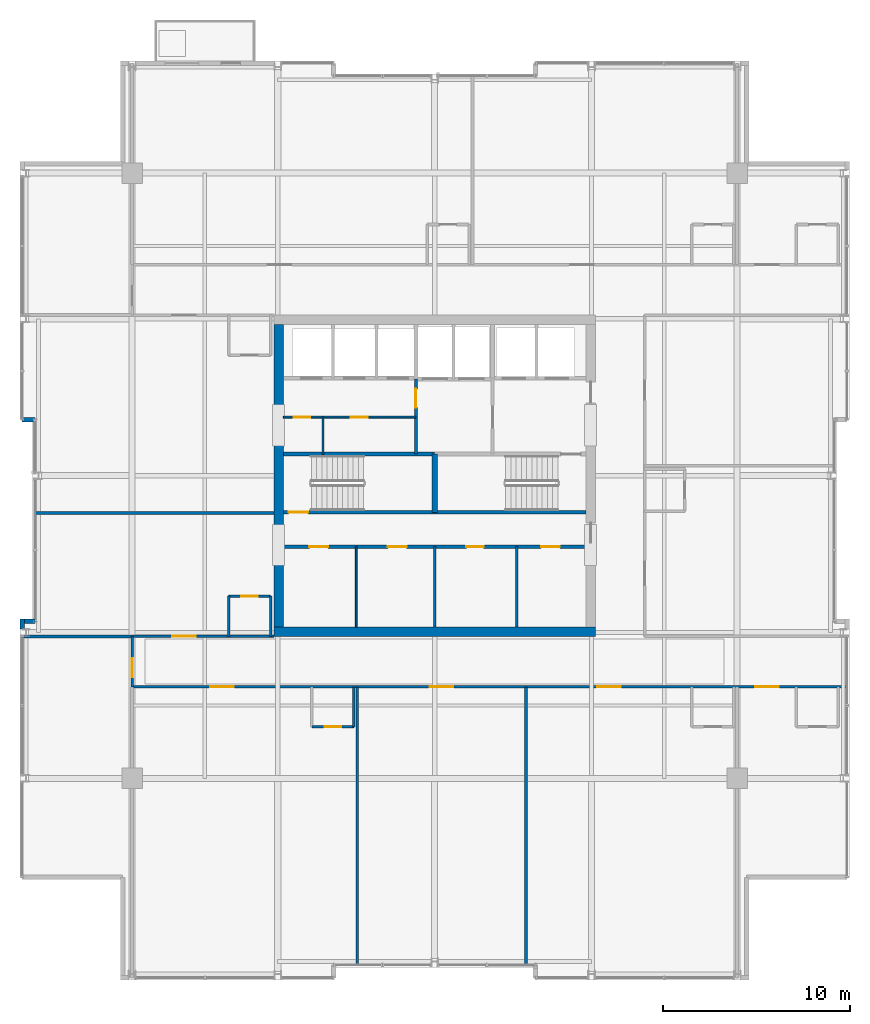
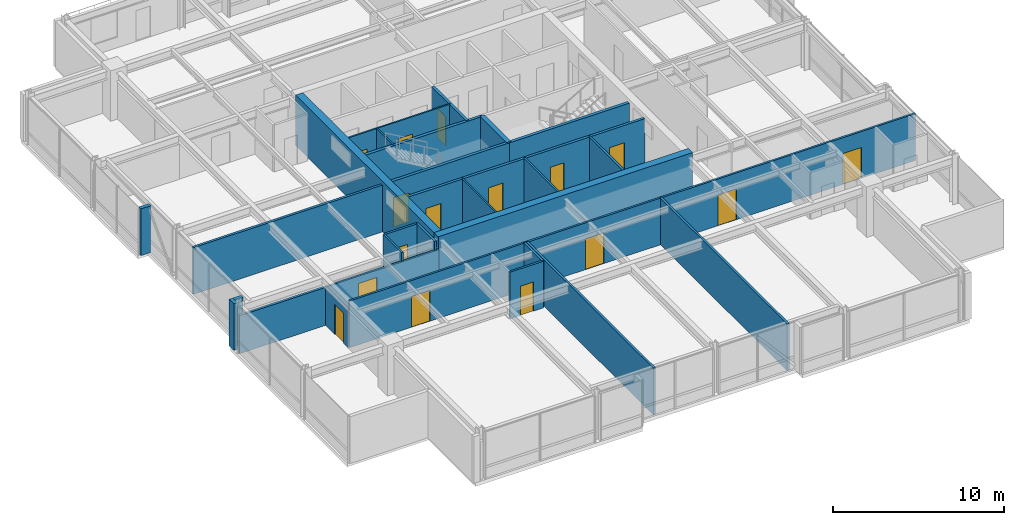
# One storey, part 25 of 31: 28 walls, 16 doors, 16 openings.
"""IFC4 building model written with IfcOpenShell, lengths in metres."""

from ifc_helpers import new_model, si_unit, direction, frame, frame_2d, origin, place, context, subcontext, project, spatial, rectangle, extrude, material, layer, layer_set, type_object, element, fill, save


model = new_model("IFC4")

# Units and contexts
model_context = context("Model", 3, precision=1e-05, world=origin(), true_north=direction((0.0, 1.0)))
body_context = subcontext(model_context, "Body", "Model", "MODEL_VIEW")
ifc_project = project(units=[si_unit("LENGTHUNIT", "METRE"), si_unit("AREAUNIT", "SQUARE_METRE"), si_unit("VOLUMEUNIT", "CUBIC_METRE"), si_unit("PLANEANGLEUNIT", "RADIAN"), si_unit("MASSUNIT", "GRAM", prefix="KILO")], contexts=[model_context])

# Site, building, storey
site_placement = place(None, origin())
site = spatial("IfcSite", under=ifc_project, at=site_placement, CompositionType="ELEMENT")
building_placement = place(site_placement, origin())
building = spatial("IfcBuilding", under=site, at=building_placement, Name="Drelvath Grand Hotel", CompositionType="ELEMENT")
storey_placement = place(building_placement, frame((0.0, 0.0, 219.5)))
storey = spatial("IfcBuildingStorey", under=building, at=storey_placement, Name="L57", CompositionType="ELEMENT", Elevation=219.5)

# Wall, openings, doors
ifc_material_1 = material(Name="Gypsum Partition Board")
ifc_layer_1 = layer(ifc_material_1, 0.10009765625)
ifc_layer_set_1 = layer_set([ifc_layer_1], Name="Gypsum Partition Board")
wall_type_1 = type_object("IfcWallType", Name="Core Closet Partition 100", PredefinedType="PARTITIONING", material=ifc_layer_set_1)
wall_1_placement = place(storey_placement, frame((-8.10009765625, 30.139892578125, 0.0), z_axis=(0.0, 0.0, 1.0), x_axis=(1.0, 0.0, 0.0)))
wall_1 = element("IfcWall", 1, at=wall_1_placement, inside=storey, type_object=wall_type_1, Name="L57 High-Rise Lobby Closet Wall", PredefinedType="PARTITIONING", context=body_context, shape_type="SweptSolid", body=[
    extrude(rectangle(XDim=7.10009765625, YDim=0.10009765625, at=frame_2d((3.550048828125, 0.0))), origin(), (0.0, 0.0, 1.0), 3.340087890625),
])
opening_1_placement = place(wall_1_placement, frame((0.550048828125, 0.0, 0.0)))
opening_1 = element("IfcOpeningElement", 2, at=opening_1_placement, cuts=wall_1, Name="Opening D-T4G2-013", PredefinedType="OPENING", context=body_context, shape_type="SweptSolid", body=[
    extrude(rectangle(XDim=0.8798828125, YDim=2.10009765625, at=frame_2d((0.43994140625, 1.050048828125))), frame((0.0, 0.06005859375, 0.0), z_axis=(0.0, -1.0, 0.0), x_axis=(1.0, 0.0, 0.0)), (0.0, 0.0, 1.0), 0.1201171875),
])
opening_2_placement = place(wall_1_placement, frame((3.60009765625, 0.0, 0.0)))
opening_2 = element("IfcOpeningElement", 3, at=opening_2_placement, cuts=wall_1, Name="Opening D-T4G2-014", PredefinedType="OPENING", context=body_context, shape_type="SweptSolid", body=[
    extrude(rectangle(XDim=0.919921875, YDim=2.10009765625, at=frame_2d((0.4599609375, 1.050048828125))), frame((0.0, 0.06005859375, 0.0), z_axis=(0.0, -1.0, 0.0), x_axis=(1.0, 0.0, 0.0)), (0.0, 0.0, 1.0), 0.1201171875),
])
ifc_material_2 = material(Name="Hardwood Walnut Timber", Category="wood")
door_type_1 = type_object("IfcDoorType", Name="En-Suite Bathroom Door 880x2100", OperationType="NOTDEFINED", PredefinedType="DOOR", material=ifc_material_2)
door_1_placement = place(opening_1_placement, origin())
door_1 = element("IfcDoor", 4, at=door_1_placement, inside=storey, type_object=door_type_1, Name="L57 Low-Voltage Closet Door", OperationType="SINGLE_SWING_RIGHT", OverallHeight=2.10009765625, OverallWidth=0.8798828125, PredefinedType="DOOR", context=body_context, shape_type="SweptSolid", body=[
    extrude(rectangle(XDim=0.8798828125, YDim=2.10009765625, at=frame_2d((0.43994140625, 1.050048828125))), frame((0.0, 0.02490234375, 0.0), z_axis=(0.0, -1.0, 0.0), x_axis=(1.0, 0.0, 0.0)), (0.0, 0.0, 1.0), 0.050048828125),
])
fill(opening_1, door_1)
ifc_material_3 = material(Name="Painted Steel S275", Category="steel")
door_type_2 = type_object("IfcDoorType", Name="Staff Utility Door 920x2100", OperationType="NOTDEFINED", PredefinedType="DOOR", material=ifc_material_3)
door_2_placement = place(opening_2_placement, origin())
door_2 = element("IfcDoor", 5, at=door_2_placement, inside=storey, type_object=door_type_2, Name="L57 Telecom Distribution Door", OperationType="SINGLE_SWING_LEFT", OverallHeight=2.10009765625, OverallWidth=0.919921875, PredefinedType="DOOR", context=body_context, shape_type="SweptSolid", body=[
    extrude(rectangle(XDim=0.919921875, YDim=2.10009765625, at=frame_2d((0.4599609375, 1.050048828125))), frame((0.0, 0.02490234375, 0.0), z_axis=(0.0, -1.0, 0.0), x_axis=(1.0, 0.0, 0.0)), (0.0, 0.0, 1.0), 0.050048828125),
])
fill(opening_2, door_2)

# Walls
wall_2_placement = place(storey_placement, frame((-5.97998046875, 28.159912109375, 0.0), z_axis=(0.0, 0.0, 1.0), x_axis=(0.0, 1.0, 0.0)))
element("IfcWall", 6, at=wall_2_placement, inside=storey, type_object=wall_type_1, Name="L57 Core Closet Split 2", PredefinedType="PARTITIONING", context=body_context, shape_type="SweptSolid", body=[
    extrude(rectangle(XDim=1.97998046875, YDim=0.10009765625, at=frame_2d((0.989990234375, 0.0))), origin(), (0.0, 0.0, 1.0), 3.340087890625),
])
wall_3_placement = place(storey_placement, frame((-4.199951171875, 18.89990234375, 0.0), z_axis=(0.0, 0.0, 1.0), x_axis=(0.0, 1.0, 0.0)))
element("IfcWall", 7, at=wall_3_placement, inside=storey, type_object=wall_type_1, Name="L57 Upper Core Split 2A", PredefinedType="PARTITIONING", context=body_context, shape_type="SweptSolid", body=[
    extrude(rectangle(XDim=4.300048828125, YDim=0.10009765625, at=frame_2d((2.14990234375, 0.0))), origin(), (0.0, 0.0, 1.0), 3.340087890625),
])

# Wall, opening, door
ifc_material_4 = material(Name="Concrete C40/50", Category="concrete")
ifc_layer_2 = layer(ifc_material_4, 0.199951171875)
ifc_layer_set_2 = layer_set([ifc_layer_2], Name="Concrete C40/50")
wall_type_2 = type_object("IfcWallType", Name="Core Shaft Fire Wall 200", PredefinedType="SOLIDWALL", material=ifc_layer_set_2)
wall_4_placement = place(storey_placement, frame((-8.10009765625, 25.0400390625, 0.0), z_axis=(0.0, 0.0, 1.0), x_axis=(1.0, 0.0, 0.0)))
wall_4 = element("IfcWall", 8, at=wall_4_placement, inside=storey, type_object=wall_type_2, Name="L57 Stair ST-1 South Wall", PredefinedType="SOLIDWALL", context=body_context, shape_type="SweptSolid", body=[
    extrude(rectangle(XDim=8.10009765625, YDim=0.199951171875, at=frame_2d((4.050048828125, 0.0))), origin(), (0.0, 0.0, 1.0), 3.340087890625),
])
opening_3_placement = place(wall_4_placement, frame((0.280029296875, 0.0, 0.0)))
opening_3 = element("IfcOpeningElement", 9, at=opening_3_placement, cuts=wall_4, Name="Opening D-T4G2-001", PredefinedType="OPENING", context=body_context, shape_type="SweptSolid", body=[
    extrude(rectangle(XDim=1.050048828125, YDim=2.10009765625, at=frame_2d((0.52490234375, 1.050048828125))), frame((0.0, 0.10986328125, 0.0), z_axis=(0.0, -1.0, 0.0), x_axis=(1.0, 0.0, 0.0)), (0.0, 0.0, 1.0), 0.219970703125),
])
door_type_3 = type_object("IfcDoorType", Name="Tower Stairwell Fire Door 1050x2100", OperationType="NOTDEFINED", PredefinedType="DOOR", material=ifc_material_3)
door_3_placement = place(opening_3_placement, origin())
door_3 = element("IfcDoor", 10, at=door_3_placement, inside=storey, type_object=door_type_3, Name="L57 Exit Stair ST-1 Door", OperationType="SINGLE_SWING_LEFT", OverallHeight=2.10009765625, OverallWidth=1.050048828125, PredefinedType="DOOR", context=body_context, shape_type="SweptSolid", body=[
    extrude(rectangle(XDim=1.050048828125, YDim=2.10009765625, at=frame_2d((0.52490234375, 1.050048828125))), frame((0.0, 0.02490234375, 0.0), z_axis=(0.0, -1.0, 0.0), x_axis=(1.0, 0.0, 0.0)), (0.0, 0.0, 1.0), 0.050048828125),
])
fill(opening_3, door_3)

# Walls
for number, where, z_axis, x_axis, name in (
    (11, (-8.10009765625, 28.159912109375, 0.0), (0.0, 0.0, 1.0), (1.0, 0.0, 0.0), "L57 Stair ST-1 North Wall"),
    (12, (0.0, 25.0400390625, 0.0), (0.0, 0.0, 1.0), (1.0, 0.0, 0.0), "L57 Stair ST-2 South Wall"),
):
    element("IfcWall", number, at=place(storey_placement, frame(where, z_axis=z_axis, x_axis=x_axis)), inside=storey, type_object=wall_type_2, Name=name, PredefinedType="SOLIDWALL", context=body_context, shape_type="SweptSolid", body=[
        extrude(rectangle(XDim=8.10009765625, YDim=0.199951171875, at=frame_2d((4.050048828125, 0.0))), origin(), (0.0, 0.0, 1.0), 3.340087890625),
    ])
ifc_layer_3 = layer(ifc_material_4, 0.300048828125)
ifc_layer_set_3 = layer_set([ifc_layer_3], Name="Concrete C40/50")
wall_type_3 = type_object("IfcWallType", Name="Core Shaft Fire Wall 300", PredefinedType="SOLIDWALL", material=ifc_layer_set_3)
wall_5_placement = place(storey_placement, frame((0.0, 25.0400390625, 0.0), z_axis=(0.0, 0.0, 1.0), x_axis=(0.0, 1.0, 0.0)))
element("IfcWall", 13, at=wall_5_placement, inside=storey, type_object=wall_type_3, Name="L57 Core Stair Divider Wall", PredefinedType="SOLIDWALL", context=body_context, shape_type="SweptSolid", body=[
    extrude(rectangle(XDim=3.119873046875, YDim=0.300048828125, at=frame_2d((1.56005859375, 0.0))), origin(), (0.0, 0.0, 1.0), 3.340087890625),
])

# Wall, openings, doors
ifc_material_5 = material(Name="Gypsum Fireboard Partition")
ifc_layer_4 = layer(ifc_material_5, 0.135009765625)
ifc_layer_set_4 = layer_set([ifc_layer_4], Name="Gypsum Fireboard Partition")
wall_type_4 = type_object("IfcWallType", Name="Corridor Fire Barrier Wall 135", PredefinedType="PARTITIONING", material=ifc_layer_set_4)
wall_6_placement = place(storey_placement, frame((-16.199951171875, 15.699951171875, 0.0), z_axis=(0.0, 0.0, 1.0), x_axis=(1.0, 0.0, 0.0)))
wall_6 = element("IfcWall", 14, at=wall_6_placement, inside=storey, type_object=wall_type_4, Name="L57 South Cross-Gallery Wall", PredefinedType="PARTITIONING", context=body_context, shape_type="SweptSolid", body=[
    extrude(rectangle(XDim=38.280029296875, YDim=0.135009765625, at=frame_2d((19.14013671875, 0.0))), origin(), (0.0, 0.0, 1.0), 3.340087890625),
])
opening_4_placement = place(wall_6_placement, frame((33.35498046875, 0.0, 0.0)))
opening_4 = element("IfcOpeningElement", 15, at=opening_4_placement, cuts=wall_6, Name="Opening D-T4G2-023", PredefinedType="OPENING", context=body_context, shape_type="SweptSolid", body=[
    extrude(rectangle(XDim=1.260009765625, YDim=2.199951171875, at=frame_2d((0.6298828125, 1.10009765625))), frame((0.0, 0.077392578125, 0.0), z_axis=(0.0, -1.0, 0.0), x_axis=(1.0, 0.0, 0.0)), (0.0, 0.0, 1.0), 0.155029296875),
])
opening_5_placement = place(wall_6_placement, frame((4.182861328125, 0.0, 0.0)))
opening_5 = element("IfcOpeningElement", 16, at=opening_5_placement, cuts=wall_6, Name="Opening D-T4G2-027", PredefinedType="OPENING", context=body_context, shape_type="SweptSolid", body=[
    extrude(rectangle(XDim=1.260009765625, YDim=2.199951171875, at=frame_2d((0.6298828125, 1.10009765625))), frame((0.0, 0.077392578125, 0.0), z_axis=(0.0, -1.0, 0.0), x_axis=(1.0, 0.0, 0.0)), (0.0, 0.0, 1.0), 0.155029296875),
])
opening_6_placement = place(wall_6_placement, frame((15.94677734375, 0.0, 0.0)))
opening_6 = element("IfcOpeningElement", 17, at=opening_6_placement, cuts=wall_6, Name="Opening D-T4G2-028", PredefinedType="OPENING", context=body_context, shape_type="SweptSolid", body=[
    extrude(rectangle(XDim=1.260009765625, YDim=2.199951171875, at=frame_2d((0.6298828125, 1.10009765625))), frame((0.0, 0.077392578125, 0.0), z_axis=(0.0, -1.0, 0.0), x_axis=(1.0, 0.0, 0.0)), (0.0, 0.0, 1.0), 0.155029296875),
])
opening_7_placement = place(wall_6_placement, frame((24.90380859375, 0.0, 0.0)))
opening_7 = element("IfcOpeningElement", 18, at=opening_7_placement, cuts=wall_6, Name="Opening D-T4G2-030", PredefinedType="OPENING", context=body_context, shape_type="SweptSolid", body=[
    extrude(rectangle(XDim=1.260009765625, YDim=2.199951171875, at=frame_2d((0.6298828125, 1.10009765625))), frame((0.0, 0.077392578125, 0.0), z_axis=(0.0, -1.0, 0.0), x_axis=(1.0, 0.0, 0.0)), (0.0, 0.0, 1.0), 0.155029296875),
])
door_type_4 = type_object("IfcDoorType", Name="Suite Entrance Fire Door 1260x2200", OperationType="NOTDEFINED", PredefinedType="DOOR", material=ifc_material_2)
door_4_placement = place(opening_4_placement, origin())
door_4 = element("IfcDoor", 19, at=door_4_placement, inside=storey, type_object=door_type_4, Name="L57 Diplomatic Suite Entry Door", OperationType="SINGLE_SWING_RIGHT", OverallHeight=2.199951171875, OverallWidth=1.260009765625, PredefinedType="DOOR", context=body_context, shape_type="SweptSolid", body=[
    extrude(rectangle(XDim=1.260009765625, YDim=2.199951171875, at=frame_2d((0.6298828125, 1.10009765625))), frame((0.0, 0.02490234375, 0.0), z_axis=(0.0, -1.0, 0.0), x_axis=(1.0, 0.0, 0.0)), (0.0, 0.0, 1.0), 0.050048828125),
])
fill(opening_4, door_4)
door_5_placement = place(opening_5_placement, origin())
door_5 = element("IfcDoor", 20, at=door_5_placement, inside=storey, type_object=door_type_4, Name="L57 Diplomatic Suite Entry Door", OperationType="SINGLE_SWING_RIGHT", OverallHeight=2.199951171875, OverallWidth=1.260009765625, PredefinedType="DOOR", context=body_context, shape_type="SweptSolid", body=[
    extrude(rectangle(XDim=1.260009765625, YDim=2.199951171875, at=frame_2d((0.6298828125, 1.10009765625))), frame((0.0, 0.02490234375, 0.0), z_axis=(0.0, -1.0, 0.0), x_axis=(1.0, 0.0, 0.0)), (0.0, 0.0, 1.0), 0.050048828125),
])
fill(opening_5, door_5)
door_6_placement = place(opening_6_placement, origin())
door_6 = element("IfcDoor", 21, at=door_6_placement, inside=storey, type_object=door_type_4, Name="L57 Private Spa Suite Room Entry Door", OperationType="SINGLE_SWING_LEFT", OverallHeight=2.199951171875, OverallWidth=1.260009765625, PredefinedType="DOOR", context=body_context, shape_type="SweptSolid", body=[
    extrude(rectangle(XDim=1.260009765625, YDim=2.199951171875, at=frame_2d((0.6298828125, 1.10009765625))), frame((0.0, 0.02490234375, 0.0), z_axis=(0.0, -1.0, 0.0), x_axis=(1.0, 0.0, 0.0)), (0.0, 0.0, 1.0), 0.050048828125),
])
fill(opening_6, door_6)
door_7_placement = place(opening_7_placement, origin())
door_7 = element("IfcDoor", 22, at=door_7_placement, inside=storey, type_object=door_type_4, Name="L57 Diplomatic Suite Entry Door", OperationType="SINGLE_SWING_LEFT", OverallHeight=2.199951171875, OverallWidth=1.260009765625, PredefinedType="DOOR", context=body_context, shape_type="SweptSolid", body=[
    extrude(rectangle(XDim=1.260009765625, YDim=2.199951171875, at=frame_2d((0.6298828125, 1.10009765625))), frame((0.0, 0.02490234375, 0.0), z_axis=(0.0, -1.0, 0.0), x_axis=(1.0, 0.0, 0.0)), (0.0, 0.0, 1.0), 0.050048828125),
])
fill(opening_7, door_7)

# Wall, opening, door
wall_7_placement = place(storey_placement, frame((-16.199951171875, 18.39990234375, 0.0), z_axis=(0.0, 0.0, 1.0), x_axis=(1.0, 0.0, 0.0)))
wall_7 = element("IfcWall", 23, at=wall_7_placement, inside=storey, type_object=wall_type_4, Name="L57 South Gallery Inner West Wall", PredefinedType="PARTITIONING", context=body_context, shape_type="SweptSolid", body=[
    extrude(rectangle(XDim=7.599853515625, YDim=0.135009765625, at=frame_2d((3.7998046875, 0.0))), origin(), (0.0, 0.0, 1.0), 2.71728515625),
])
opening_8_placement = place(wall_7_placement, frame((2.155029296875, 0.0, 0.0)))
opening_8 = element("IfcOpeningElement", 24, at=opening_8_placement, cuts=wall_7, Name="Opening D-T4G2-039", PredefinedType="OPENING", context=body_context, shape_type="SweptSolid", body=[
    extrude(rectangle(XDim=1.260009765625, YDim=2.199951171875, at=frame_2d((0.6298828125, 1.10009765625))), frame((0.0, 0.077392578125, 0.0), z_axis=(0.0, -1.0, 0.0), x_axis=(1.0, 0.0, 0.0)), (0.0, 0.0, 1.0), 0.155029296875),
])
door_8_placement = place(opening_8_placement, origin())
door_8 = element("IfcDoor", 25, at=door_8_placement, inside=storey, type_object=door_type_4, Name="L57 Diplomatic Suite Entry Door", OperationType="SINGLE_SWING_RIGHT", OverallHeight=2.199951171875, OverallWidth=1.260009765625, PredefinedType="DOOR", context=body_context, shape_type="SweptSolid", body=[
    extrude(rectangle(XDim=1.260009765625, YDim=2.199951171875, at=frame_2d((0.6298828125, 1.10009765625))), frame((0.0, 0.02490234375, 0.0), z_axis=(0.0, -1.0, 0.0), x_axis=(1.0, 0.0, 0.0)), (0.0, 0.0, 1.0), 0.050048828125),
])
fill(opening_8, door_8)

wall_8_placement = place(storey_placement, frame((-16.199951171875, 15.699951171875, 0.0), z_axis=(0.0, 0.0, 1.0), x_axis=(0.0, 1.0, 0.0)))
wall_8 = element("IfcWall", 26, at=wall_8_placement, inside=storey, type_object=wall_type_4, Name="L57 South Gallery West End", PredefinedType="PARTITIONING", context=body_context, shape_type="SweptSolid", body=[
    extrude(rectangle(XDim=2.699951171875, YDim=0.135009765625, at=frame_2d((1.35009765625, 0.0))), origin(), (0.0, 0.0, 1.0), 2.7138671875),
])
opening_9_placement = place(wall_8_placement, frame((0.52001953125, 0.0, 0.0)))
opening_9 = element("IfcOpeningElement", 27, at=opening_9_placement, cuts=wall_8, Name="Opening D-T4G2-020", PredefinedType="OPENING", context=body_context, shape_type="SweptSolid", body=[
    extrude(rectangle(XDim=1.02001953125, YDim=2.14990234375, at=frame_2d((0.510009765625, 1.074951171875))), frame((0.0, 0.077392578125, 0.0), z_axis=(0.0, -1.0, 0.0), x_axis=(1.0, 0.0, 0.0)), (0.0, 0.0, 1.0), 0.155029296875),
])
door_type_5 = type_object("IfcDoorType", Name="Amenity Meeting Fire Door 1020x2150", OperationType="NOTDEFINED", PredefinedType="DOOR", material=ifc_material_2)
door_9_placement = place(opening_9_placement, origin())
door_9 = element("IfcDoor", 28, at=door_9_placement, inside=storey, type_object=door_type_5, Name="L57 Corner Panorama Lounge Door", OperationType="SINGLE_SWING_LEFT", OverallHeight=2.14990234375, OverallWidth=1.02001953125, PredefinedType="DOOR", context=body_context, shape_type="SweptSolid", body=[
    extrude(rectangle(XDim=1.02001953125, YDim=2.14990234375, at=frame_2d((0.510009765625, 1.074951171875))), frame((0.0, 0.02490234375, 0.0), z_axis=(0.0, -1.0, 0.0), x_axis=(1.0, 0.0, 0.0)), (0.0, 0.0, 1.0), 0.050048828125),
])
fill(opening_9, door_9)

# Walls
ifc_material_6 = material(Name="Moisture-Resistant Gypsum Board")
ifc_layer_5 = layer(ifc_material_6, 0.139892578125)
ifc_layer_set_5 = layer_set([ifc_layer_5], Name="Moisture-Resistant Gypsum Board")
wall_type_5 = type_object("IfcWallType", Name="En-Suite Plumbing Wall 140", PredefinedType="PLUMBINGWALL", material=ifc_layer_set_5)
for number, where, z_axis, x_axis, name in (
    (29, (0.0, 18.89990234375, 0.0), (0.0, 0.0, 1.0), (0.0, 1.0, 0.0), "L57 Upper Core Split 2B"),
    (30, (4.39990234375, 18.89990234375, 0.0), (0.0, 0.0, 1.0), (0.0, 1.0, 0.0), "L57 Upper Core Split 2C"),
):
    element("IfcWall", number, at=place(storey_placement, frame(where, z_axis=z_axis, x_axis=x_axis)), inside=storey, type_object=wall_type_5, Name=name, PredefinedType="PLUMBINGWALL", context=body_context, shape_type="SweptSolid", body=[
        extrude(rectangle(XDim=4.300048828125, YDim=0.139892578125, at=frame_2d((2.14990234375, 0.0))), origin(), (0.0, 0.0, 1.0), 3.340087890625),
    ])
wall_9_placement = place(storey_placement, frame((-4.32421875, 15.699951171875, 0.0), z_axis=(0.0, 0.0, 1.0), x_axis=(0.0, -1.0, 0.0)))
element("IfcWall", 31, at=wall_9_placement, inside=storey, type_object=wall_type_5, Name="L57 En-Suite Right Wall", PredefinedType="PLUMBINGWALL", context=body_context, shape_type="SweptSolid", body=[
    extrude(rectangle(XDim=2.14990234375, YDim=0.139892578125, at=frame_2d((1.074951171875, 0.0))), origin(), (0.0, 0.0, 1.0), 3.340087890625),
])

# Wall, opening, door
wall_10_placement = place(storey_placement, frame((-6.57421875, 13.550048828125, 0.0), z_axis=(0.0, 0.0, 1.0), x_axis=(1.0, 0.0, 0.0)))
wall_10 = element("IfcWall", 32, at=wall_10_placement, inside=storey, type_object=wall_type_5, Name="L57 En-Suite Front Wall", PredefinedType="PLUMBINGWALL", context=body_context, shape_type="SweptSolid", body=[
    extrude(rectangle(XDim=2.25, YDim=0.139892578125, at=frame_2d((1.125, 0.0))), origin(), (0.0, 0.0, 1.0), 3.340087890625),
])
opening_10_placement = place(wall_10_placement, frame((0.68505859375, 0.0, 0.0)))
opening_10 = element("IfcOpeningElement", 33, at=opening_10_placement, cuts=wall_10, Name="Opening D-T4G2-026", PredefinedType="OPENING", context=body_context, shape_type="SweptSolid", body=[
    extrude(rectangle(XDim=0.8798828125, YDim=2.10009765625, at=frame_2d((0.43994140625, 1.050048828125))), frame((0.0, 0.079833984375, 0.0), z_axis=(0.0, -1.0, 0.0), x_axis=(1.0, 0.0, 0.0)), (0.0, 0.0, 1.0), 0.159912109375),
])
door_10_placement = place(opening_10_placement, origin())
door_10 = element("IfcDoor", 34, at=door_10_placement, inside=storey, type_object=door_type_1, Name="L57 En-Suite Bathroom Door", OperationType="SINGLE_SWING_LEFT", OverallHeight=2.10009765625, OverallWidth=0.8798828125, PredefinedType="DOOR", context=body_context, shape_type="SweptSolid", body=[
    extrude(rectangle(XDim=0.8798828125, YDim=2.10009765625, at=frame_2d((0.43994140625, 1.050048828125))), frame((0.0, 0.02490234375, 0.0), z_axis=(0.0, -1.0, 0.0), x_axis=(1.0, 0.0, 0.0)), (0.0, 0.0, 1.0), 0.050048828125),
])
fill(opening_10, door_10)

# Walls
for number, where, z_axis, x_axis, name in (
    (35, (-11.030029296875, 18.39990234375, 0.0), (0.0, 0.0, 1.0), (0.0, 1.0, 0.0), "L57 En-Suite Left Wall"),
    (36, (-8.780029296875, 18.39990234375, 0.0), (0.0, 0.0, 1.0), (0.0, 1.0, 0.0), "L57 En-Suite Right Wall"),
):
    element("IfcWall", number, at=place(storey_placement, frame(where, z_axis=z_axis, x_axis=x_axis)), inside=storey, type_object=wall_type_5, Name=name, PredefinedType="PLUMBINGWALL", context=body_context, shape_type="SweptSolid", body=[
        extrude(rectangle(XDim=2.150146484375, YDim=0.139892578125, at=frame_2d((1.0751953125, 0.0))), origin(), (0.0, 0.0, 1.0), 3.340087890625),
    ])

# Wall, opening, door
wall_11_placement = place(storey_placement, frame((-11.030029296875, 20.550048828125, 0.0), z_axis=(0.0, 0.0, 1.0), x_axis=(1.0, 0.0, 0.0)))
wall_11 = element("IfcWall", 37, at=wall_11_placement, inside=storey, type_object=wall_type_5, Name="L57 En-Suite Front Wall", PredefinedType="PLUMBINGWALL", context=body_context, shape_type="SweptSolid", body=[
    extrude(rectangle(XDim=2.25, YDim=0.139892578125, at=frame_2d((1.125, 0.0))), origin(), (0.0, 0.0, 1.0), 3.340087890625),
])
opening_11_placement = place(wall_11_placement, frame((0.68505859375, 0.0, 0.0)))
opening_11 = element("IfcOpeningElement", 38, at=opening_11_placement, cuts=wall_11, Name="Opening D-T4G2-038", PredefinedType="OPENING", context=body_context, shape_type="SweptSolid", body=[
    extrude(rectangle(XDim=0.8798828125, YDim=2.10009765625, at=frame_2d((0.43994140625, 1.050048828125))), frame((0.0, 0.079833984375, 0.0), z_axis=(0.0, -1.0, 0.0), x_axis=(1.0, 0.0, 0.0)), (0.0, 0.0, 1.0), 0.159912109375),
])
door_11_placement = place(opening_11_placement, origin())
door_11 = element("IfcDoor", 39, at=door_11_placement, inside=storey, type_object=door_type_1, Name="L57 En-Suite Bathroom Door", OperationType="SINGLE_SWING_LEFT", OverallHeight=2.10009765625, OverallWidth=0.8798828125, PredefinedType="DOOR", context=body_context, shape_type="SweptSolid", body=[
    extrude(rectangle(XDim=0.8798828125, YDim=2.10009765625, at=frame_2d((0.43994140625, 1.050048828125))), frame((0.0, 0.02490234375, 0.0), z_axis=(0.0, -1.0, 0.0), x_axis=(1.0, 0.0, 0.0)), (0.0, 0.0, 1.0), 0.050048828125),
])
fill(opening_11, door_11)

ifc_layer_6 = layer(ifc_material_5, 0.179931640625)
ifc_layer_set_6 = layer_set([ifc_layer_6], Name="Gypsum Fireboard Partition")
wall_type_6 = type_object("IfcWallType", Name="FSAE Smoke Lobby Fire Wall 180", PredefinedType="SOLIDWALL", material=ifc_layer_set_6)
wall_12_placement = place(storey_placement, frame((-1.0, 28.159912109375, 0.0), z_axis=(0.0, 0.0, 1.0), x_axis=(0.0, 1.0, 0.0)))
wall_12 = element("IfcWall", 40, at=wall_12_placement, inside=storey, type_object=wall_type_6, Name="L57 Service Vestibule West Wall", PredefinedType="SOLIDWALL", context=body_context, shape_type="SweptSolid", body=[
    extrude(rectangle(XDim=4.02001953125, YDim=0.179931640625, at=frame_2d((2.010009765625, 0.0))), origin(), (0.0, 0.0, 1.0), 3.340087890625),
])
opening_12_placement = place(wall_12_placement, frame((2.489990234375, 0.0, 0.0)))
opening_12 = element("IfcOpeningElement", 41, at=opening_12_placement, cuts=wall_12, Name="Opening D-T4G2-009", PredefinedType="OPENING", context=body_context, shape_type="SweptSolid", body=[
    extrude(rectangle(XDim=1.0, YDim=2.10009765625, at=frame_2d((0.5, 1.050048828125))), frame((0.0, 0.099853515625, 0.0), z_axis=(0.0, -1.0, 0.0), x_axis=(1.0, 0.0, 0.0)), (0.0, 0.0, 1.0), 0.199951171875),
])
door_type_6 = type_object("IfcDoorType", Name="Core Service Fire Door 1000x2100", OperationType="NOTDEFINED", PredefinedType="DOOR", material=ifc_material_3)
door_12_placement = place(opening_12_placement, origin())
door_12 = element("IfcDoor", 42, at=door_12_placement, inside=storey, type_object=door_type_6, Name="L57 Service Vestibule West Door", OperationType="SINGLE_SWING_LEFT", OverallHeight=2.10009765625, OverallWidth=1.0, PredefinedType="DOOR", context=body_context, shape_type="SweptSolid", body=[
    extrude(rectangle(XDim=1.0, YDim=2.10009765625, at=frame_2d((0.5, 1.050048828125))), frame((0.0, 0.02490234375, 0.0), z_axis=(0.0, -1.0, 0.0), x_axis=(1.0, 0.0, 0.0)), (0.0, 0.0, 1.0), 0.050048828125),
])
fill(opening_12, door_12)

# Wall, openings, doors
wall_13_placement = place(storey_placement, frame((-8.10009765625, 23.199951171875, 0.0), z_axis=(0.0, 0.0, 1.0), x_axis=(1.0, 0.0, 0.0)))
wall_13 = element("IfcWall", 43, at=wall_13_placement, inside=storey, type_object=wall_type_6, Name="L57 Upper Reclaimed Core Wall", PredefinedType="SOLIDWALL", context=body_context, shape_type="SweptSolid", body=[
    extrude(rectangle(XDim=16.2001953125, YDim=0.179931640625, at=frame_2d((8.10009765625, 0.0))), origin(), (0.0, 0.0, 1.0), 3.340087890625),
])
opening_13_placement = place(wall_13_placement, frame((1.39990234375, 0.0, 0.0)))
opening_13 = element("IfcOpeningElement", 44, at=opening_13_placement, cuts=wall_13, Name="Opening D-T4G2-016", PredefinedType="OPENING", context=body_context, shape_type="SweptSolid", body=[
    extrude(rectangle(XDim=1.0, YDim=2.10009765625, at=frame_2d((0.5, 1.050048828125))), frame((0.0, 0.099853515625, 0.0), z_axis=(0.0, -1.0, 0.0), x_axis=(1.0, 0.0, 0.0)), (0.0, 0.0, 1.0), 0.199951171875),
])
opening_14_placement = place(wall_13_placement, frame((5.60009765625, 0.0, 0.0)))
opening_14 = element("IfcOpeningElement", 45, at=opening_14_placement, cuts=wall_13, Name="Opening D-T4G2-017", PredefinedType="OPENING", context=body_context, shape_type="SweptSolid", body=[
    extrude(rectangle(XDim=1.0, YDim=2.10009765625, at=frame_2d((0.5, 1.050048828125))), frame((0.0, 0.099853515625, 0.0), z_axis=(0.0, -1.0, 0.0), x_axis=(1.0, 0.0, 0.0)), (0.0, 0.0, 1.0), 0.199951171875),
])
opening_15_placement = place(wall_13_placement, frame((9.800048828125, 0.0, 0.0)))
opening_15 = element("IfcOpeningElement", 46, at=opening_15_placement, cuts=wall_13, Name="Opening D-T4G2-018", PredefinedType="OPENING", context=body_context, shape_type="SweptSolid", body=[
    extrude(rectangle(XDim=0.919921875, YDim=2.10009765625, at=frame_2d((0.4599609375, 1.050048828125))), frame((0.0, 0.099853515625, 0.0), z_axis=(0.0, -1.0, 0.0), x_axis=(1.0, 0.0, 0.0)), (0.0, 0.0, 1.0), 0.199951171875),
])
opening_16_placement = place(wall_13_placement, frame((13.800048828125, 0.0, 0.0)))
opening_16 = element("IfcOpeningElement", 47, at=opening_16_placement, cuts=wall_13, Name="Opening D-T4G2-019", PredefinedType="OPENING", context=body_context, shape_type="SweptSolid", body=[
    extrude(rectangle(XDim=1.0, YDim=2.10009765625, at=frame_2d((0.5, 1.050048828125))), frame((0.0, 0.099853515625, 0.0), z_axis=(0.0, -1.0, 0.0), x_axis=(1.0, 0.0, 0.0)), (0.0, 0.0, 1.0), 0.199951171875),
])
door_13_placement = place(opening_13_placement, origin())
door_13 = element("IfcDoor", 48, at=door_13_placement, inside=storey, type_object=door_type_6, Name="L57 Housekeeping Door", OperationType="SINGLE_SWING_LEFT", OverallHeight=2.10009765625, OverallWidth=1.0, PredefinedType="DOOR", context=body_context, shape_type="SweptSolid", body=[
    extrude(rectangle(XDim=1.0, YDim=2.10009765625, at=frame_2d((0.5, 1.050048828125))), frame((0.0, 0.02490234375, 0.0), z_axis=(0.0, -1.0, 0.0), x_axis=(1.0, 0.0, 0.0)), (0.0, 0.0, 1.0), 0.050048828125),
])
fill(opening_13, door_13)
door_14_placement = place(opening_14_placement, origin())
door_14 = element("IfcDoor", 49, at=door_14_placement, inside=storey, type_object=door_type_6, Name="L57 Valet Door", OperationType="SINGLE_SWING_RIGHT", OverallHeight=2.10009765625, OverallWidth=1.0, PredefinedType="DOOR", context=body_context, shape_type="SweptSolid", body=[
    extrude(rectangle(XDim=1.0, YDim=2.10009765625, at=frame_2d((0.5, 1.050048828125))), frame((0.0, 0.02490234375, 0.0), z_axis=(0.0, -1.0, 0.0), x_axis=(1.0, 0.0, 0.0)), (0.0, 0.0, 1.0), 0.050048828125),
])
fill(opening_14, door_14)
door_15_placement = place(opening_15_placement, origin())
door_15 = element("IfcDoor", 50, at=door_15_placement, inside=storey, type_object=door_type_6, Name="L57 Staff WC Door", OperationType="SINGLE_SWING_LEFT", OverallHeight=2.10009765625, OverallWidth=0.919921875, PredefinedType="DOOR", context=body_context, shape_type="SweptSolid", body=[
    extrude(rectangle(XDim=0.919921875, YDim=2.10009765625, at=frame_2d((0.4599609375, 1.050048828125))), frame((0.0, 0.02490234375, 0.0), z_axis=(0.0, -1.0, 0.0), x_axis=(1.0, 0.0, 0.0)), (0.0, 0.0, 1.0), 0.050048828125),
])
fill(opening_15, door_15)
door_16_placement = place(opening_16_placement, origin())
door_16 = element("IfcDoor", 51, at=door_16_placement, inside=storey, type_object=door_type_6, Name="L57 Telecom Door", OperationType="SINGLE_SWING_RIGHT", OverallHeight=2.10009765625, OverallWidth=1.0, PredefinedType="DOOR", context=body_context, shape_type="SweptSolid", body=[
    extrude(rectangle(XDim=1.0, YDim=2.10009765625, at=frame_2d((0.5, 1.050048828125))), frame((0.0, 0.02490234375, 0.0), z_axis=(0.0, -1.0, 0.0), x_axis=(1.0, 0.0, 0.0)), (0.0, 0.0, 1.0), 0.050048828125),
])
fill(opening_16, door_16)

# Walls
ifc_material_7 = material(Name="Gypsum Acoustic Partition")
ifc_layer_7 = layer(ifc_material_7, 0.14990234375)
ifc_layer_set_7 = layer_set([ifc_layer_7], Name="Gypsum Acoustic Partition")
wall_type_7 = type_object("IfcWallType", Name="Guestroom Demising Wall 150", PredefinedType="PARTITIONING", material=ifc_layer_set_7)
for number, where, z_axis, x_axis, name in (
    (52, (-4.144287109375, 0.800048828125, 0.0), (0.0, 0.0, 1.0), (0.0, 1.0, 0.0), "L57 South Demising 1"),
    (53, (4.897705078125, 0.800048828125, 0.0), (0.0, 0.0, 1.0), (0.0, 1.0, 0.0), "L57 South Demising 2"),
):
    element("IfcWall", number, at=place(storey_placement, frame(where, z_axis=z_axis, x_axis=x_axis)), inside=storey, type_object=wall_type_7, Name=name, PredefinedType="PARTITIONING", context=body_context, shape_type="SweptSolid", body=[
        extrude(rectangle(XDim=14.89990234375, YDim=0.14990234375, at=frame_2d((7.449951171875, 0.0))), origin(), (0.0, 0.0, 1.0), 3.340087890625),
    ])
ifc_layer_8 = layer(ifc_material_7, 0.1650390625)
ifc_layer_set_8 = layer_set([ifc_layer_8], Name="Gypsum Acoustic Partition")
wall_type_8 = type_object("IfcWallType", Name="Suite Demising Wall 165", PredefinedType="PARTITIONING", material=ifc_layer_set_8)
wall_14_placement = place(storey_placement, frame((-22.080078125, 18.39990234375, 0.0), z_axis=(0.0, 0.0, 1.0), x_axis=(1.0, 0.0, 0.0)))
element("IfcWall", 54, at=wall_14_placement, inside=storey, type_object=wall_type_8, Name="L57 SW Corner North Wall", PredefinedType="PARTITIONING", context=body_context, shape_type="SweptSolid", body=[
    extrude(rectangle(XDim=5.880126953125, YDim=0.1650390625, at=frame_2d((2.93994140625, 0.0))), origin(), (0.0, 0.0, 1.0), 2.7138671875),
])
wall_15_placement = place(storey_placement, frame((-21.39990234375, 25.0, 0.0), z_axis=(0.0, 0.0, 1.0), x_axis=(1.0, 0.0, 0.0)))
element("IfcWall", 55, at=wall_15_placement, inside=storey, type_object=wall_type_8, Name="L57 West Grand Suite Split Wall", PredefinedType="PARTITIONING", context=body_context, shape_type="SweptSolid", body=[
    extrude(rectangle(XDim=12.7998046875, YDim=0.1650390625, at=frame_2d((6.39990234375, 0.0))), origin(), (0.0, 0.0, 1.0), 3.340087890625),
])
ifc_material_8 = material(Name="Pale-Metal Insulated Aluminium Spandrel Assembly", Category="aluminium")
ifc_layer_9 = layer(ifc_material_8, 0.239990234375)
ifc_layer_set_9 = layer_set([ifc_layer_9], Name="Pale-Metal Insulated Aluminium Spandrel Assembly")
wall_type_9 = type_object("IfcWallType", Name="Tower Insulated Metal Spandrel Closure Wall 240", PredefinedType="STANDARD", material=ifc_layer_set_9)
wall_16_placement = place(storey_placement, frame((-22.080078125, 18.785400390625, 0.0), z_axis=(0.0, 0.0, 1.0), x_axis=(0.0, 1.0, 0.0)))
element("IfcWall", 56, at=wall_16_placement, inside=storey, type_object=wall_type_9, Name="L57 Corner Pier Spandrel Wall WS3", PredefinedType="STANDARD", context=body_context, shape_type="SweptSolid", body=[
    extrude(rectangle(XDim=0.53466796875, YDim=0.239990234375, at=frame_2d((0.267333984375, 0.0))), origin(), (0.0, 0.0, 1.0), 3.340087890625),
])
wall_17_placement = place(storey_placement, frame((-21.9599609375, 19.199951171875, 0.0), z_axis=(0.0, 0.0, 1.0), x_axis=(1.0, 0.0, 0.0)))
element("IfcWall", 57, at=wall_17_placement, inside=storey, type_object=wall_type_9, Name="L57 Notched Corner Return Spandrel Wall RW1", PredefinedType="STANDARD", context=body_context, shape_type="SweptSolid", body=[
    extrude(rectangle(XDim=0.56005859375, YDim=0.239990234375, at=frame_2d((0.280029296875, 0.0))), origin(), (0.0, 0.0, 1.0), 3.340087890625),
])
wall_18_placement = place(storey_placement, frame((-21.39990234375, 30.0, 0.0), z_axis=(0.0, 0.0, 1.0), x_axis=(-1.0, 0.0, 0.0)))
element("IfcWall", 58, at=wall_18_placement, inside=storey, type_object=wall_type_9, Name="L57 Notched Corner Return Spandrel Wall RW2", PredefinedType="STANDARD", context=body_context, shape_type="SweptSolid", body=[
    extrude(rectangle(XDim=0.68017578125, YDim=0.239990234375, at=frame_2d((0.340087890625, 0.0))), origin(), (0.0, 0.0, 1.0), 3.340087890625),
])
ifc_material_9 = material(Name="Concrete f'c 55 MPa", Category="concrete")
ifc_layer_10 = layer(ifc_material_9, 0.5)
ifc_layer_set_10 = layer_set([ifc_layer_10], Name="Concrete f'c 55 MPa")
wall_type_10 = type_object("IfcWallType", Name="Upper Core RC Shear Wall 500", PredefinedType="SHEAR", material=ifc_layer_set_10)
wall_19_placement = place(storey_placement, frame((8.60009765625, 18.64990234375, 0.0), z_axis=(0.0, 0.0, 1.0), x_axis=(-1.0, 0.0, 0.0)))
element("IfcWall", 59, at=wall_19_placement, inside=storey, type_object=wall_type_10, Name="L57 Central Core Shear Wall S", PredefinedType="SHEAR", context=body_context, shape_type="SweptSolid", body=[
    extrude(rectangle(XDim=17.2001953125, YDim=0.5, at=frame_2d((8.60009765625, 0.0))), origin(), (0.0, 0.0, 1.0), 3.60009765625),
])
wall_20_placement = place(storey_placement, frame((-8.35009765625, 18.89990234375, 0.0), z_axis=(0.0, 0.0, 1.0), x_axis=(0.0, 1.0, 0.0)))
element("IfcWall", 60, at=wall_20_placement, inside=storey, type_object=wall_type_10, Name="L57 Central Core Shear Wall W", PredefinedType="SHEAR", context=body_context, shape_type="SweptSolid", body=[
    extrude(rectangle(XDim=16.2001953125, YDim=0.5, at=frame_2d((8.10009765625, 0.0))), origin(), (0.0, 0.0, 1.0), 3.60009765625),
])

save(model, "model.ifc")
